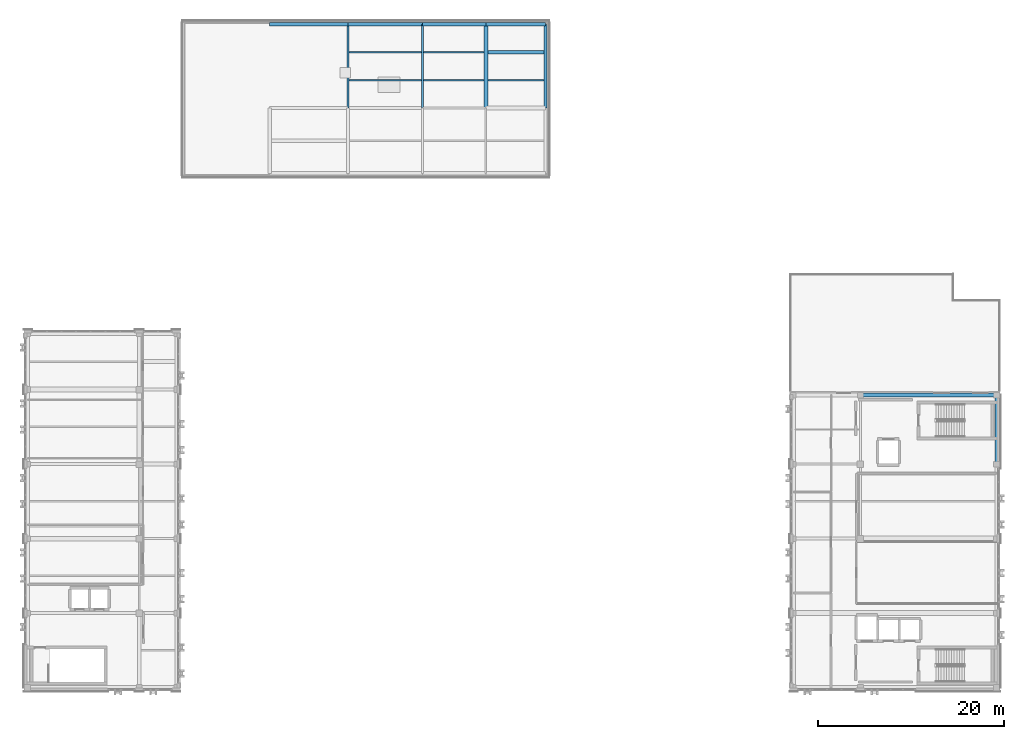
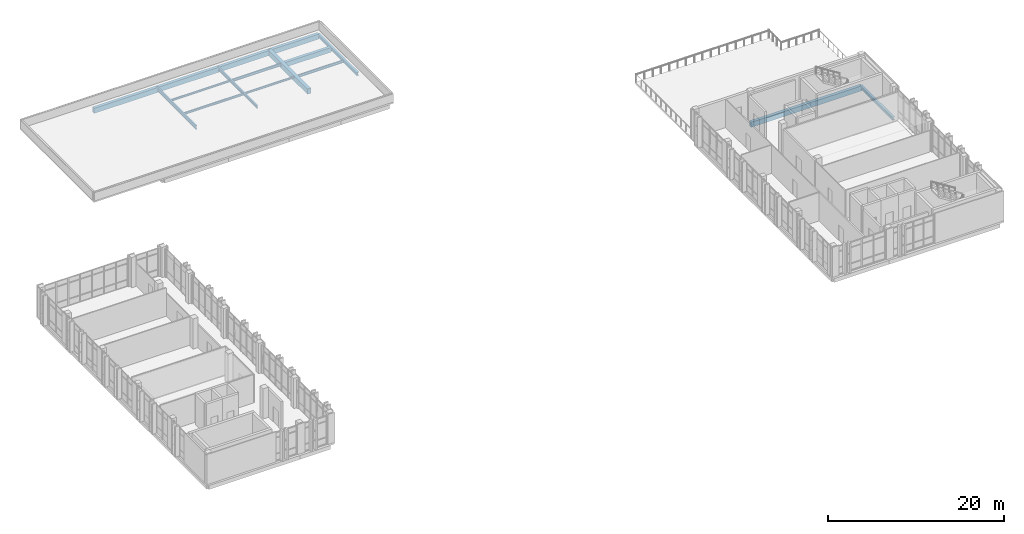
# One storey, part 30 of 48: 16 beams.
"""IFC4 building model written with IfcOpenShell, lengths in metres."""

from ifc_helpers import new_model, si_unit, direction, frame, origin, origin_2d, place, context, subcontext, project, spatial, rectangle, i_section, extrude, material, material_profile, profile_set, type_object, element, save


model = new_model("IFC4")

# Units and contexts
model_context = context("Model", 3, precision=1e-05, world=origin(), true_north=direction((0.0, 1.0)))
body_context = subcontext(model_context, "Body", "Model", "MODEL_VIEW")
ifc_project = project(units=[si_unit("LENGTHUNIT", "METRE"), si_unit("AREAUNIT", "SQUARE_METRE"), si_unit("VOLUMEUNIT", "CUBIC_METRE"), si_unit("PLANEANGLEUNIT", "RADIAN"), si_unit("MASSUNIT", "GRAM", prefix="KILO")], contexts=[model_context])

# Site, building, storey
site_placement = place(None, origin())
site = spatial("IfcSite", under=ifc_project, at=site_placement, CompositionType="ELEMENT")
building_placement = place(site_placement, origin())
building = spatial("IfcBuilding", under=site, at=building_placement, Name="Qalavern Law Courts", CompositionType="ELEMENT")
storey_placement = place(building_placement, frame((0.0, 0.0, 31.199951171875)))
storey = spatial("IfcBuildingStorey", under=building, at=storey_placement, Name="L07", CompositionType="ELEMENT", Elevation=31.199951171875)

# Beams
ifc_material_1 = material(Name="Steel S355", Category="steel")
ifc_material_profile_1 = material_profile(ifc_material_1, i_section(OverallWidth=0.179931640625, OverallDepth=0.39990234375, WebThickness=0.008544921875, FlangeThickness=0.013427734375, FilletRadius=0.02099609375, at=origin_2d()), Name="IPE 400")
ifc_profile_set_1 = profile_set([ifc_material_profile_1], Name="Steel S355")
beam_type_1 = type_object("IfcBeamType", Name="STR-BM-IPE400", PredefinedType="BEAM", material=ifc_profile_set_1)
beam_1_placement = place(storey_placement, frame((44.800048828125, 103.60009765625, -0.46484375), z_axis=(0.0, 1.0, 0.0), x_axis=(-1.0, 0.0, 0.0)))
element("IfcBeam", 1, at=beam_1_placement, inside=storey, type_object=beam_type_1, Name="V5 Y-beam 3-2 L07", PredefinedType="BEAM", context=body_context, shape_type="SweptSolid", body=[
    extrude(i_section(OverallWidth=0.179931640625, OverallDepth=0.39990234375, WebThickness=0.008544921875, FlangeThickness=0.013427734375, FilletRadius=0.02099609375, at=origin_2d()), origin(), (0.0, 0.0, 1.0), 9.0),
])
ifc_material_profile_2 = material_profile(ifc_material_1, i_section(OverallWidth=0.199951171875, OverallDepth=0.5, WebThickness=0.01025390625, FlangeThickness=0.01611328125, FilletRadius=0.02099609375, at=origin_2d()), Name="IPE 500")
ifc_profile_set_2 = profile_set([ifc_material_profile_2], Name="Steel S355")
beam_type_2 = type_object("IfcBeamType", Name="STR-BM-IPE500", PredefinedType="BEAM", material=ifc_profile_set_2)
beam_2_placement = place(storey_placement, frame((36.800048828125, 103.60009765625, -0.514892578125), z_axis=(0.0, 1.0, 0.0), x_axis=(-1.0, 0.0, 0.0)))
element("IfcBeam", 2, at=beam_2_placement, inside=storey, type_object=beam_type_2, Name="V5 Y-beam 2-2 L07", PredefinedType="BEAM", context=body_context, shape_type="SweptSolid", body=[
    extrude(i_section(OverallWidth=0.199951171875, OverallDepth=0.5, WebThickness=0.01025390625, FlangeThickness=0.01611328125, FilletRadius=0.02099609375, at=origin_2d()), origin(), (0.0, 0.0, 1.0), 9.0),
])
ifc_material_2 = material(Name="Concrete C40/50", Category="concrete")
ifc_material_profile_3 = material_profile(ifc_material_2, rectangle(XDim=0.449951171875, YDim=0.75, at=origin_2d()), Name="RC 450x750")
ifc_profile_set_3 = profile_set([ifc_material_profile_3], Name="Concrete C40/50")
beam_type_3 = type_object("IfcBeamType", Name="STR-BM-RC450x750", PredefinedType="BEAM", material=ifc_profile_set_3)
beam_3_placement = place(storey_placement, frame((51.60009765625, 103.60009765625, -0.639892578125), z_axis=(0.0, 1.0, 0.0), x_axis=(-1.0, 0.0, 0.0)))
element("IfcBeam", 3, at=beam_3_placement, inside=storey, type_object=beam_type_3, Name="V5 Y-beam 4-2 L07", PredefinedType="BEAM", context=body_context, shape_type="SweptSolid", body=[
    extrude(rectangle(XDim=0.449951171875, YDim=0.75, at=origin_2d()), origin(), (0.0, 0.0, 1.0), 9.0),
])
ifc_material_profile_4 = material_profile(ifc_material_1, i_section(OverallWidth=0.135009765625, OverallDepth=0.27001953125, WebThickness=0.006591796875, FlangeThickness=0.01025390625, FilletRadius=0.014892578125, at=origin_2d()), Name="IPE 270")
ifc_profile_set_4 = profile_set([ifc_material_profile_4], Name="Steel S355")
beam_type_4 = type_object("IfcBeamType", Name="STR-JST-IPE270", PredefinedType="JOIST", material=ifc_profile_set_4)
beam_4_placement = place(storey_placement, frame((36.89794921875, 109.60009765625, -0.39990234375), z_axis=(1.0, 0.0, 0.0), x_axis=(0.0, 1.0, 0.0)))
element("IfcBeam", 4, at=beam_4_placement, inside=storey, type_object=beam_type_4, Name="V5 secondary joist 2.2.2 L07", PredefinedType="JOIST", context=body_context, shape_type="SweptSolid", body=[
    extrude(i_section(OverallWidth=0.135009765625, OverallDepth=0.27001953125, WebThickness=0.006591796875, FlangeThickness=0.01025390625, FilletRadius=0.014892578125, at=origin_2d()), origin(), (0.0, 0.0, 1.0), 7.81396484375),
])
beam_5_placement = place(storey_placement, frame((44.887939453125, 106.60009765625, -0.39990234375), z_axis=(1.0, 0.0, 0.0), x_axis=(0.0, 1.0, 0.0)))
element("IfcBeam", 5, at=beam_5_placement, inside=storey, type_object=beam_type_4, Name="V5 secondary joist 3.2.1 L07", PredefinedType="JOIST", context=body_context, shape_type="SweptSolid", body=[
    extrude(i_section(OverallWidth=0.135009765625, OverallDepth=0.27001953125, WebThickness=0.006591796875, FlangeThickness=0.01025390625, FilletRadius=0.014892578125, at=origin_2d()), origin(), (0.0, 0.0, 1.0), 6.489013671875),
])
ifc_material_profile_5 = material_profile(ifc_material_1, i_section(OverallWidth=0.14990234375, OverallDepth=0.300048828125, WebThickness=0.007080078125, FlangeThickness=0.0107421875, FilletRadius=0.014892578125, at=origin_2d()), Name="IPE 300")
ifc_profile_set_5 = profile_set([ifc_material_profile_5], Name="Steel S355")
beam_type_5 = type_object("IfcBeamType", Name="STR-JST-IPE300", PredefinedType="JOIST", material=ifc_profile_set_5)
beam_6_placement = place(storey_placement, frame((36.89794921875, 106.60009765625, -0.4150390625), z_axis=(1.0, 0.0, 0.0), x_axis=(0.0, 1.0, 0.0)))
element("IfcBeam", 6, at=beam_6_placement, inside=storey, type_object=beam_type_5, Name="V5 secondary joist 2.2.1 L07", PredefinedType="JOIST", context=body_context, shape_type="SweptSolid", body=[
    extrude(i_section(OverallWidth=0.14990234375, OverallDepth=0.300048828125, WebThickness=0.007080078125, FlangeThickness=0.0107421875, FilletRadius=0.014892578125, at=origin_2d()), origin(), (0.0, 0.0, 1.0), 7.81396484375),
])
ifc_material_profile_6 = material_profile(ifc_material_1, i_section(OverallWidth=0.169921875, OverallDepth=0.360107421875, WebThickness=0.008056640625, FlangeThickness=0.0126953125, FilletRadius=0.01806640625, at=origin_2d()), Name="IPE 360")
ifc_profile_set_6 = profile_set([ifc_material_profile_6], Name="Steel S355")
beam_type_6 = type_object("IfcBeamType", Name="STR-JST-IPE360", PredefinedType="JOIST", material=ifc_profile_set_6)
beam_7_placement = place(storey_placement, frame((44.887939453125, 109.60009765625, -0.445068359375), z_axis=(1.0, 0.0, 0.0), x_axis=(0.0, 1.0, 0.0)))
element("IfcBeam", 7, at=beam_7_placement, inside=storey, type_object=beam_type_6, Name="V5 secondary joist 3.2.2 L07", PredefinedType="JOIST", context=body_context, shape_type="SweptSolid", body=[
    extrude(i_section(OverallWidth=0.169921875, OverallDepth=0.360107421875, WebThickness=0.008056640625, FlangeThickness=0.0126953125, FilletRadius=0.01806640625, at=origin_2d()), origin(), (0.0, 0.0, 1.0), 6.489013671875),
])
beam_8_placement = place(storey_placement, frame((51.822998046875, 106.60009765625, -0.445068359375), z_axis=(1.0, 0.0, 0.0), x_axis=(0.0, 1.0, 0.0)))
element("IfcBeam", 8, at=beam_8_placement, inside=storey, type_object=beam_type_6, Name="V5 secondary joist 4.2.1 L07", PredefinedType="JOIST", context=body_context, shape_type="SweptSolid", body=[
    extrude(i_section(OverallWidth=0.169921875, OverallDepth=0.360107421875, WebThickness=0.008056640625, FlangeThickness=0.0126953125, FilletRadius=0.01806640625, at=origin_2d()), origin(), (0.0, 0.0, 1.0), 6.029052734375),
])
ifc_material_3 = material(Name="Concrete C35/45", Category="concrete")
ifc_material_profile_7 = material_profile(ifc_material_3, rectangle(XDim=0.39990234375, YDim=0.64990234375, at=origin_2d()), Name="RC 400x650")
ifc_profile_set_7 = profile_set([ifc_material_profile_7], Name="Concrete C35/45")
beam_type_7 = type_object("IfcBeamType", Name="STR-JST-RC400x650", PredefinedType="JOIST", material=ifc_profile_set_7)
beam_9_placement = place(storey_placement, frame((51.822998046875, 109.60009765625, -0.58984375), z_axis=(1.0, 0.0, 0.0), x_axis=(0.0, 1.0, 0.0)))
element("IfcBeam", 9, at=beam_9_placement, inside=storey, type_object=beam_type_7, Name="V5 secondary joist 4.2.2 L07", PredefinedType="JOIST", context=body_context, shape_type="SweptSolid", body=[
    extrude(rectangle(XDim=0.39990234375, YDim=0.64990234375, at=origin_2d()), origin(), (0.0, 0.0, 1.0), 6.029052734375),
])
ifc_material_profile_8 = material_profile(ifc_material_1, i_section(OverallWidth=0.300048828125, OverallDepth=0.449951171875, WebThickness=0.013916015625, FlangeThickness=0.02587890625, FilletRadius=0.027099609375, at=origin_2d()), Name="HEB 450")
ifc_profile_set_8 = profile_set([ifc_material_profile_8], Name="Steel S355")
beam_type_8 = type_object("IfcBeamType", Name="STR-SP-HEB450", PredefinedType="SPANDREL", material=ifc_profile_set_8)
beam_10_placement = place(storey_placement, frame((106.39990234375, 65.39990234375, -0.489990234375), z_axis=(0.0, 1.0, 0.0), x_axis=(-1.0, 0.0, 0.0)))
element("IfcBeam", 10, at=beam_10_placement, inside=storey, type_object=beam_type_8, Name="V4 Y-beam 3-4 L07", PredefinedType="SPANDREL", context=body_context, shape_type="SweptSolid", body=[
    extrude(i_section(OverallWidth=0.300048828125, OverallDepth=0.449951171875, WebThickness=0.013916015625, FlangeThickness=0.02587890625, FilletRadius=0.027099609375, at=origin_2d()), origin(), (0.0, 0.0, 1.0), 7.400146484375),
])
beam_11_placement = place(storey_placement, frame((58.0, 103.60009765625, -0.489990234375), z_axis=(0.0, 1.0, 0.0), x_axis=(-1.0, 0.0, 0.0)))
element("IfcBeam", 11, at=beam_11_placement, inside=storey, type_object=beam_type_8, Name="V5 Y-beam 5-2 L07", PredefinedType="SPANDREL", context=body_context, shape_type="SweptSolid", body=[
    extrude(i_section(OverallWidth=0.300048828125, OverallDepth=0.449951171875, WebThickness=0.013916015625, FlangeThickness=0.02587890625, FilletRadius=0.027099609375, at=origin_2d()), origin(), (0.0, 0.0, 1.0), 9.0),
])
ifc_material_profile_9 = material_profile(ifc_material_2, rectangle(XDim=0.39990234375, YDim=0.699951171875, at=origin_2d()), Name="RC 400x700")
ifc_profile_set_9 = profile_set([ifc_material_profile_9], Name="Concrete C40/50")
beam_type_9 = type_object("IfcBeamType", Name="STR-SP-RC400x700", PredefinedType="SPANDREL", material=ifc_profile_set_9)
beam_12_placement = place(storey_placement, frame((91.800048828125, 72.800048828125, -0.614990234375), z_axis=(1.0, 0.0, 0.0), x_axis=(0.0, 1.0, 0.0)))
element("IfcBeam", 12, at=beam_12_placement, inside=storey, type_object=beam_type_9, Name="V4 X-beam 5-2 L07", PredefinedType="SPANDREL", context=body_context, shape_type="SweptSolid", body=[
    extrude(rectangle(XDim=0.39990234375, YDim=0.699951171875, at=origin_2d()), origin(), (0.0, 0.0, 1.0), 14.599853515625),
])
beam_13_placement = place(storey_placement, frame((28.39990234375, 112.60009765625, -0.614990234375), z_axis=(1.0, 0.0, 0.0), x_axis=(0.0, 1.0, 0.0)))
element("IfcBeam", 13, at=beam_13_placement, inside=storey, type_object=beam_type_9, Name="V5 X-beam 3-1 L07", PredefinedType="SPANDREL", context=body_context, shape_type="SweptSolid", body=[
    extrude(rectangle(XDim=0.39990234375, YDim=0.699951171875, at=origin_2d()), origin(), (0.0, 0.0, 1.0), 8.400146484375),
])
beam_14_placement = place(storey_placement, frame((36.800048828125, 112.60009765625, -0.614990234375), z_axis=(1.0, 0.0, 0.0), x_axis=(0.0, 1.0, 0.0)))
element("IfcBeam", 14, at=beam_14_placement, inside=storey, type_object=beam_type_9, Name="V5 X-beam 3-2 L07", PredefinedType="SPANDREL", context=body_context, shape_type="SweptSolid", body=[
    extrude(rectangle(XDim=0.39990234375, YDim=0.699951171875, at=origin_2d()), origin(), (0.0, 0.0, 1.0), 8.0),
])
beam_15_placement = place(storey_placement, frame((44.800048828125, 112.60009765625, -0.614990234375), z_axis=(1.0, 0.0, 0.0), x_axis=(0.0, 1.0, 0.0)))
element("IfcBeam", 15, at=beam_15_placement, inside=storey, type_object=beam_type_9, Name="V5 X-beam 3-3 L07", PredefinedType="SPANDREL", context=body_context, shape_type="SweptSolid", body=[
    extrude(rectangle(XDim=0.39990234375, YDim=0.699951171875, at=origin_2d()), origin(), (0.0, 0.0, 1.0), 6.800048828125),
])
beam_16_placement = place(storey_placement, frame((51.60009765625, 112.60009765625, -0.614990234375), z_axis=(1.0, 0.0, 0.0), x_axis=(0.0, 1.0, 0.0)))
element("IfcBeam", 16, at=beam_16_placement, inside=storey, type_object=beam_type_9, Name="V5 X-beam 3-4 L07", PredefinedType="SPANDREL", context=body_context, shape_type="SweptSolid", body=[
    extrude(rectangle(XDim=0.39990234375, YDim=0.699951171875, at=origin_2d()), origin(), (0.0, 0.0, 1.0), 6.39990234375),
])

save(model, "model.ifc")
